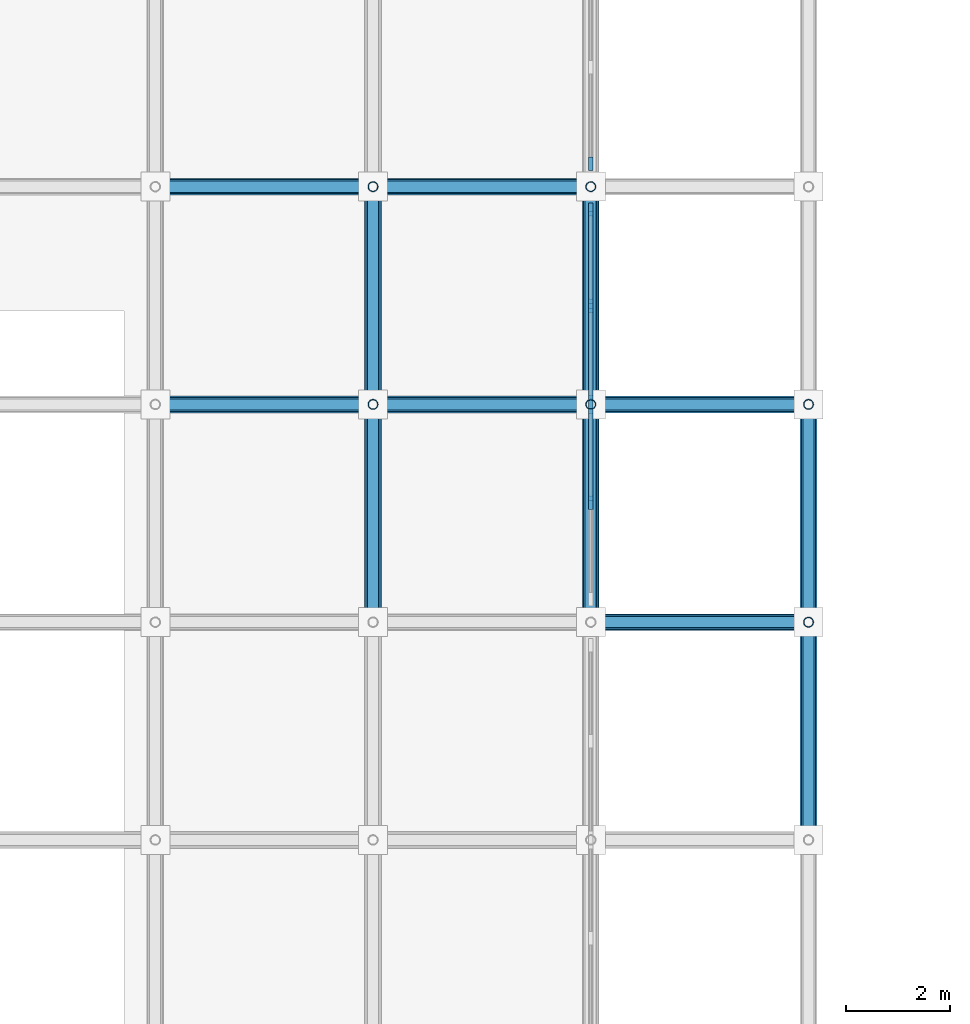
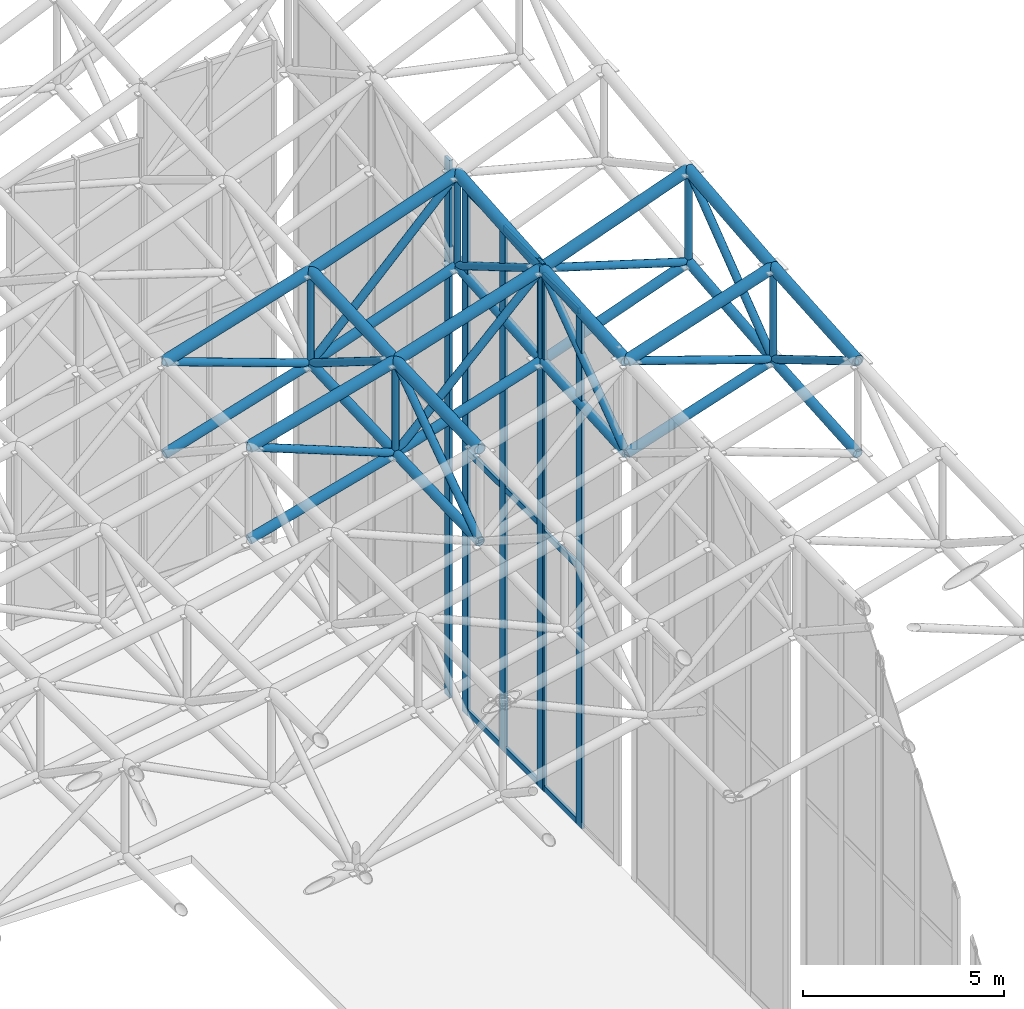
# One storey, part 44 of 93: 57 members, 3 elements without a shape of their own.
"""IFC4 building model written with IfcOpenShell, lengths in metres."""

from ifc_helpers import new_model, si_unit, direction, frame, origin, origin_2d, place, context, subcontext, project, spatial, rectangle, hollow_circle, extrude, material, material_profile, profile_set, type_object, element, aggregate, save


model = new_model("IFC4")

# Units and contexts
model_context = context("Model", 3, precision=1e-05, world=origin(), true_north=direction((0.0, 1.0)))
body_context = subcontext(model_context, "Body", "Model", "MODEL_VIEW")
ifc_project = project(units=[si_unit("LENGTHUNIT", "METRE"), si_unit("AREAUNIT", "SQUARE_METRE"), si_unit("VOLUMEUNIT", "CUBIC_METRE"), si_unit("PLANEANGLEUNIT", "RADIAN"), si_unit("MASSUNIT", "GRAM", prefix="KILO")], contexts=[model_context])

# Site, building, storey
site_placement = place(None, origin())
site = spatial("IfcSite", under=ifc_project, at=site_placement, CompositionType="ELEMENT")
building_placement = place(site_placement, origin())
building = spatial("IfcBuilding", under=site, at=building_placement, Name="Cumbredor Promenade Congress Hotel", CompositionType="ELEMENT")
storey_placement = place(building_placement, frame((0.0, 0.0, 21.840087890625)))
storey = spatial("IfcBuildingStorey", under=building, at=storey_placement, Name="L06", CompositionType="ELEMENT", Elevation=21.840087890625)

# Curtain wall, members
ifc_material_1 = material(Name="Thermally broken anodized aluminium and low-E glass", Category="aluminium")
curtain_wall_type = type_object("IfcCurtainWallType", Name="Stepped Pavilion Clerestory Curtain Wall CW-06", PredefinedType="NOTDEFINED", material=ifc_material_1)
curtain_wall_1_placement = place(storey_placement, origin())
curtain_wall_1 = element("IfcCurtainWall", 1, at=curtain_wall_1_placement, inside=storey, type_object=curtain_wall_type, Name="Plenary Congress Hall E Glazed Clerestory 11", PredefinedType="NOTDEFINED")
ifc_material_2 = material(Name="Thermally broken anodized aluminium", Category="aluminium")
ifc_material_profile_1 = material_profile(ifc_material_2, rectangle(XDim=0.0849609375, YDim=0.260009765625, at=origin_2d()), Name="ALU MULLION CLERESTORY 85x260")
ifc_profile_set_1 = profile_set([ifc_material_profile_1], Name="Thermally broken anodized aluminium")
member_type_1 = type_object("IfcMemberType", Name="Curtain Wall Mullion ML-04", PredefinedType="MULLION", material=ifc_profile_set_1)
member_1_placement = place(storey_placement, frame((67.199951171875, 52.699951171875, -0.01806640625), z_axis=(0.0, 0.0, 1.0), x_axis=(1.0, 0.0, 0.0)))
member_1 = element("IfcMember", 2, at=member_1_placement, type_object=member_type_1, Name="Plenary Congress Hall E Glazed Clerestory 11 Mullion 2", PredefinedType="MULLION", context=body_context, shape_type="SweptSolid", body=[
    extrude(rectangle(XDim=0.0849609375, YDim=0.260009765625, at=origin_2d()), origin(), (0.0, 0.0, 1.0), 15.685791015625),
])
member_2_placement = place(storey_placement, frame((67.199951171875, 54.56005859375, -0.01806640625), z_axis=(0.0, 0.0, 1.0), x_axis=(1.0, 0.0, 0.0)))
member_2 = element("IfcMember", 3, at=member_2_placement, type_object=member_type_1, Name="Plenary Congress Hall E Glazed Clerestory 11 Mullion 3", PredefinedType="MULLION", context=body_context, shape_type="SweptSolid", body=[
    extrude(rectangle(XDim=0.0849609375, YDim=0.260009765625, at=origin_2d()), origin(), (0.0, 0.0, 1.0), 15.685791015625),
])

curtain_wall_2_placement = place(storey_placement, origin())
curtain_wall_2 = element("IfcCurtainWall", 4, at=curtain_wall_2_placement, inside=storey, type_object=curtain_wall_type, Name="Plenary Congress Hall E Glazed Clerestory 12", PredefinedType="NOTDEFINED")
member_3_placement = place(storey_placement, frame((67.199951171875, 54.639892578125, -0.01806640625), z_axis=(0.0, 0.0, 1.0), x_axis=(1.0, 0.0, 0.0)))
member_3 = element("IfcMember", 5, at=member_3_placement, type_object=member_type_1, Name="Plenary Congress Hall E Glazed Clerestory 12 Mullion 1", PredefinedType="MULLION", context=body_context, shape_type="SweptSolid", body=[
    extrude(rectangle(XDim=0.0849609375, YDim=0.260009765625, at=origin_2d()), origin(), (0.0, 0.0, 1.0), 15.94970703125),
])
member_4_placement = place(storey_placement, frame((67.199951171875, 56.5, -0.01806640625), z_axis=(0.0, 0.0, 1.0), x_axis=(1.0, 0.0, 0.0)))
member_4 = element("IfcMember", 6, at=member_4_placement, type_object=member_type_1, Name="Plenary Congress Hall E Glazed Clerestory 12 Mullion 2", PredefinedType="MULLION", context=body_context, shape_type="SweptSolid", body=[
    extrude(rectangle(XDim=0.0849609375, YDim=0.260009765625, at=origin_2d()), origin(), (0.0, 0.0, 1.0), 15.94970703125),
])
member_5_placement = place(storey_placement, frame((67.199951171875, 58.360107421875, -0.01806640625), z_axis=(0.0, 0.0, 1.0), x_axis=(1.0, 0.0, 0.0)))
member_5 = element("IfcMember", 7, at=member_5_placement, type_object=member_type_1, Name="Plenary Congress Hall E Glazed Clerestory 12 Mullion 3", PredefinedType="MULLION", context=body_context, shape_type="SweptSolid", body=[
    extrude(rectangle(XDim=0.0849609375, YDim=0.260009765625, at=origin_2d()), origin(), (0.0, 0.0, 1.0), 15.94970703125),
])

# Curtain wall, member
curtain_wall_3_placement = place(storey_placement, origin())
curtain_wall_3 = element("IfcCurtainWall", 8, at=curtain_wall_3_placement, inside=storey, type_object=curtain_wall_type, Name="Plenary Congress Hall E Glazed Clerestory 13", PredefinedType="NOTDEFINED")
member_6_placement = place(storey_placement, frame((67.199951171875, 59.239990234375, -0.01806640625), z_axis=(0.0, 0.0, 1.0), x_axis=(1.0, 0.0, 0.0)))
member_6 = element("IfcMember", 9, at=member_6_placement, type_object=member_type_1, Name="Plenary Congress Hall E Glazed Clerestory 13 Mullion 1", PredefinedType="MULLION", context=body_context, shape_type="SweptSolid", body=[
    extrude(rectangle(XDim=0.0849609375, YDim=0.260009765625, at=origin_2d()), origin(), (0.0, 0.0, 1.0), 16.279296875),
])
aggregate(curtain_wall_3, [member_6])

# Member
ifc_material_profile_2 = material_profile(ifc_material_2, rectangle(XDim=0.080078125, YDim=0.179931640625, at=origin_2d()), Name="ALU TRANSOM 80x180")
ifc_profile_set_2 = profile_set([ifc_material_profile_2], Name="Thermally broken anodized aluminium")
member_type_2 = type_object("IfcMemberType", Name="Curtain Wall Transom TR-03", PredefinedType="USERDEFINED", material=ifc_profile_set_2)
member_7_placement = place(storey_placement, frame((67.199951171875, 52.742431640625, 0.079833984375), z_axis=(0.0, 1.0, 0.0), x_axis=(-1.0, 0.0, 0.0)))
member_7 = element("IfcMember", 10, at=member_7_placement, type_object=member_type_2, Name="Plenary Congress Hall E Glazed Clerestory 11 Transom 2.1", ObjectType="TRANSOM", PredefinedType="USERDEFINED", context=body_context, shape_type="SweptSolid", body=[
    extrude(rectangle(XDim=0.080078125, YDim=0.179931640625, at=origin_2d()), origin(), (0.0, 0.0, 1.0), 1.775146484375),
])

member_8_placement = place(storey_placement, frame((67.199951171875, 52.742431640625, 7.81982421875), z_axis=(0.0, 1.0, 0.0), x_axis=(-1.0, 0.0, 0.0)))
member_8 = element("IfcMember", 11, at=member_8_placement, type_object=member_type_2, Name="Plenary Congress Hall E Glazed Clerestory 11 Transom 2.2", ObjectType="TRANSOM", PredefinedType="USERDEFINED", context=body_context, shape_type="SweptSolid", body=[
    extrude(rectangle(XDim=0.080078125, YDim=0.179931640625, at=origin_2d()), origin(), (0.0, 0.0, 1.0), 1.775146484375),
])

member_9_placement = place(storey_placement, frame((67.199951171875, 52.742431640625, 15.56982421875), z_axis=(0.0, 1.0, 0.0), x_axis=(-1.0, 0.0, 0.0)))
member_9 = element("IfcMember", 12, at=member_9_placement, type_object=member_type_2, Name="Plenary Congress Hall E Glazed Clerestory 11 Transom 2.3", ObjectType="TRANSOM", PredefinedType="USERDEFINED", context=body_context, shape_type="SweptSolid", body=[
    extrude(rectangle(XDim=0.080078125, YDim=0.179931640625, at=origin_2d()), origin(), (0.0, 0.0, 1.0), 1.775146484375),
])

aggregate(curtain_wall_1, [member_1, member_2, member_7, member_8, member_9])

member_10_placement = place(storey_placement, frame((67.199951171875, 54.6826171875, 0.079833984375), z_axis=(0.0, 1.0, 0.0), x_axis=(-1.0, 0.0, 0.0)))
member_10 = element("IfcMember", 13, at=member_10_placement, type_object=member_type_2, Name="Plenary Congress Hall E Glazed Clerestory 12 Transom 1.1", ObjectType="TRANSOM", PredefinedType="USERDEFINED", context=body_context, shape_type="SweptSolid", body=[
    extrude(rectangle(XDim=0.080078125, YDim=0.179931640625, at=origin_2d()), origin(), (0.0, 0.0, 1.0), 1.77490234375),
])

member_11_placement = place(storey_placement, frame((67.199951171875, 54.6826171875, 7.9599609375), z_axis=(0.0, 1.0, 0.0), x_axis=(-1.0, 0.0, 0.0)))
member_11 = element("IfcMember", 14, at=member_11_placement, type_object=member_type_2, Name="Plenary Congress Hall E Glazed Clerestory 12 Transom 1.2", ObjectType="TRANSOM", PredefinedType="USERDEFINED", context=body_context, shape_type="SweptSolid", body=[
    extrude(rectangle(XDim=0.080078125, YDim=0.179931640625, at=origin_2d()), origin(), (0.0, 0.0, 1.0), 1.77490234375),
])

member_12_placement = place(storey_placement, frame((67.199951171875, 54.6826171875, 15.829833984375), z_axis=(0.0, 1.0, 0.0), x_axis=(-1.0, 0.0, 0.0)))
member_12 = element("IfcMember", 15, at=member_12_placement, type_object=member_type_2, Name="Plenary Congress Hall E Glazed Clerestory 12 Transom 1.3", ObjectType="TRANSOM", PredefinedType="USERDEFINED", context=body_context, shape_type="SweptSolid", body=[
    extrude(rectangle(XDim=0.080078125, YDim=0.179931640625, at=origin_2d()), origin(), (0.0, 0.0, 1.0), 1.77490234375),
])

member_13_placement = place(storey_placement, frame((67.199951171875, 56.54248046875, 0.079833984375), z_axis=(0.0, 1.0, 0.0), x_axis=(-1.0, 0.0, 0.0)))
member_13 = element("IfcMember", 16, at=member_13_placement, type_object=member_type_2, Name="Plenary Congress Hall E Glazed Clerestory 12 Transom 2.1", ObjectType="TRANSOM", PredefinedType="USERDEFINED", context=body_context, shape_type="SweptSolid", body=[
    extrude(rectangle(XDim=0.080078125, YDim=0.179931640625, at=origin_2d()), origin(), (0.0, 0.0, 1.0), 1.77490234375),
])

member_14_placement = place(storey_placement, frame((67.199951171875, 56.54248046875, 7.9599609375), z_axis=(0.0, 1.0, 0.0), x_axis=(-1.0, 0.0, 0.0)))
member_14 = element("IfcMember", 17, at=member_14_placement, type_object=member_type_2, Name="Plenary Congress Hall E Glazed Clerestory 12 Transom 2.2", ObjectType="TRANSOM", PredefinedType="USERDEFINED", context=body_context, shape_type="SweptSolid", body=[
    extrude(rectangle(XDim=0.080078125, YDim=0.179931640625, at=origin_2d()), origin(), (0.0, 0.0, 1.0), 1.77490234375),
])

member_15_placement = place(storey_placement, frame((67.199951171875, 56.54248046875, 15.829833984375), z_axis=(0.0, 1.0, 0.0), x_axis=(-1.0, 0.0, 0.0)))
member_15 = element("IfcMember", 18, at=member_15_placement, type_object=member_type_2, Name="Plenary Congress Hall E Glazed Clerestory 12 Transom 2.3", ObjectType="TRANSOM", PredefinedType="USERDEFINED", context=body_context, shape_type="SweptSolid", body=[
    extrude(rectangle(XDim=0.080078125, YDim=0.179931640625, at=origin_2d()), origin(), (0.0, 0.0, 1.0), 1.77490234375),
])

aggregate(curtain_wall_2, [member_3, member_4, member_5, member_10, member_11, member_12, member_13, member_14, member_15])

# Members
ifc_material_3 = material(Name="Steel ASTM A500 Grade C", Category="steel")
ifc_material_profile_3 = material_profile(ifc_material_3, hollow_circle(Radius=0.136474609375, WallThickness=0.01611328125, at=origin_2d()), Name="CHS 273.0x16")
ifc_profile_set_3 = profile_set([ifc_material_profile_3], Name="Steel ASTM A500 Grade C")
member_type_3 = type_object("IfcMemberType", Name="Plenary Roof Space Frame Bottom Chord", PredefinedType="CHORD", material=ifc_profile_set_3)
member_16_placement = place(storey_placement, frame((67.199951171875, 50.39990234375, 12.6796875), z_axis=(0.95046362493, 0.0, 0.310835805025), x_axis=(0.0, 1.0, 0.0)))
element("IfcMember", 19, at=member_16_placement, inside=storey, type_object=member_type_3, Name="Plenary Congress Hall X Bottom Chord 18.13", PredefinedType="CHORD", context=body_context, shape_type="SweptSolid", body=[
    extrude(hollow_circle(Radius=0.136474609375, WallThickness=0.01611328125, at=origin_2d()), origin(), (0.0, 0.0, 1.0), 4.4189453125),
])
member_17_placement = place(storey_placement, frame((58.800048828125, 54.60009765625, 10.4599609375), z_axis=(0.964303137338, 0.0, 0.264800791768), x_axis=(0.0, 1.0, 0.0)))
element("IfcMember", 20, at=member_17_placement, inside=storey, type_object=member_type_3, Name="Plenary Congress Hall X Bottom Chord 16.14", PredefinedType="CHORD", context=body_context, shape_type="SweptSolid", body=[
    extrude(hollow_circle(Radius=0.136474609375, WallThickness=0.01611328125, at=origin_2d()), origin(), (0.0, 0.0, 1.0), 4.35546875),
])
member_18_placement = place(storey_placement, frame((63.0, 54.60009765625, 11.61328125), z_axis=(0.953320159964, 0.0, 0.301961376018), x_axis=(0.0, 1.0, 0.0)))
element("IfcMember", 21, at=member_18_placement, inside=storey, type_object=member_type_3, Name="Plenary Congress Hall X Bottom Chord 17.14", PredefinedType="CHORD", context=body_context, shape_type="SweptSolid", body=[
    extrude(hollow_circle(Radius=0.136474609375, WallThickness=0.01611328125, at=origin_2d()), origin(), (0.0, 0.0, 1.0), 4.405517578125),
])
member_19_placement = place(storey_placement, frame((67.199951171875, 54.60009765625, 12.943603515625), z_axis=(0.94060968374, 0.0, 0.339489945146), x_axis=(0.0, 1.0, 0.0)))
element("IfcMember", 22, at=member_19_placement, inside=storey, type_object=member_type_3, Name="Plenary Congress Hall X Bottom Chord 18.14", PredefinedType="CHORD", context=body_context, shape_type="SweptSolid", body=[
    extrude(hollow_circle(Radius=0.136474609375, WallThickness=0.01611328125, at=origin_2d()), origin(), (0.0, 0.0, 1.0), 4.465087890625),
])
member_20_placement = place(storey_placement, frame((58.800048828125, 58.800048828125, 10.5), z_axis=(0.95607892243, 0.0, 0.293109355165), x_axis=(0.0, 1.0, 0.0)))
element("IfcMember", 23, at=member_20_placement, inside=storey, type_object=member_type_3, Name="Plenary Congress Hall X Bottom Chord 16.15", PredefinedType="CHORD", context=body_context, shape_type="SweptSolid", body=[
    extrude(hollow_circle(Radius=0.136474609375, WallThickness=0.01611328125, at=origin_2d()), origin(), (0.0, 0.0, 1.0), 4.392822265625),
])
member_21_placement = place(storey_placement, frame((63.0, 58.800048828125, 11.78759765625), z_axis=(0.942760446136, 0.0, 0.333470750145), x_axis=(0.0, 1.0, 0.0)))
element("IfcMember", 24, at=member_21_placement, inside=storey, type_object=member_type_3, Name="Plenary Congress Hall X Bottom Chord 17.15", PredefinedType="CHORD", context=body_context, shape_type="SweptSolid", body=[
    extrude(hollow_circle(Radius=0.136474609375, WallThickness=0.01611328125, at=origin_2d()), origin(), (0.0, 0.0, 1.0), 4.454833984375),
])
member_22_placement = place(storey_placement, frame((63.0, 50.39990234375, 11.473388671875), z_axis=(0.0, 0.999445809291, 0.033287749868), x_axis=(-1.0, 0.0, 0.0)))
element("IfcMember", 25, at=member_22_placement, inside=storey, type_object=member_type_3, Name="Plenary Congress Hall Y Bottom Chord 17.13", PredefinedType="CHORD", context=body_context, shape_type="SweptSolid", body=[
    extrude(hollow_circle(Radius=0.136474609375, WallThickness=0.01611328125, at=origin_2d()), origin(), (0.0, 0.0, 1.0), 4.20263671875),
])
member_23_placement = place(storey_placement, frame((63.0, 54.60009765625, 11.61328125), z_axis=(0.0, 0.999139804036, 0.041468686862), x_axis=(-1.0, 0.0, 0.0)))
element("IfcMember", 26, at=member_23_placement, inside=storey, type_object=member_type_3, Name="Plenary Congress Hall Y Bottom Chord 17.14", PredefinedType="CHORD", context=body_context, shape_type="SweptSolid", body=[
    extrude(hollow_circle(Radius=0.136474609375, WallThickness=0.01611328125, at=origin_2d()), origin(), (0.0, 0.0, 1.0), 4.20361328125),
])
member_24_placement = place(storey_placement, frame((67.199951171875, 50.39990234375, 12.6796875), z_axis=(0.0, 0.998031756371, 0.062710551537), x_axis=(-1.0, 0.0, 0.0)))
element("IfcMember", 27, at=member_24_placement, inside=storey, type_object=member_type_3, Name="Plenary Congress Hall Y Bottom Chord 18.13", PredefinedType="CHORD", context=body_context, shape_type="SweptSolid", body=[
    extrude(hollow_circle(Radius=0.136474609375, WallThickness=0.01611328125, at=origin_2d()), origin(), (0.0, 0.0, 1.0), 4.20849609375),
])
member_25_placement = place(storey_placement, frame((67.199951171875, 54.60009765625, 12.943603515625), z_axis=(0.0, 0.996935010979, 0.078234160601), x_axis=(-1.0, 0.0, 0.0)))
element("IfcMember", 28, at=member_25_placement, inside=storey, type_object=member_type_3, Name="Plenary Congress Hall Y Bottom Chord 18.14", PredefinedType="CHORD", context=body_context, shape_type="SweptSolid", body=[
    extrude(hollow_circle(Radius=0.136474609375, WallThickness=0.01611328125, at=origin_2d()), origin(), (0.0, 0.0, 1.0), 4.212890625),
])
member_26_placement = place(storey_placement, frame((71.39990234375, 46.199951171875, 13.748291015625), z_axis=(0.0, 0.997374731853, 0.072413011689), x_axis=(-1.0, 0.0, 0.0)))
element("IfcMember", 29, at=member_26_placement, inside=storey, type_object=member_type_3, Name="Plenary Congress Hall Y Bottom Chord 19.12", PredefinedType="CHORD", context=body_context, shape_type="SweptSolid", body=[
    extrude(hollow_circle(Radius=0.136474609375, WallThickness=0.01611328125, at=origin_2d()), origin(), (0.0, 0.0, 1.0), 4.2109375),
])
member_27_placement = place(storey_placement, frame((71.39990234375, 50.39990234375, 14.05322265625), z_axis=(0.0, 0.995355022421, 0.096272422536), x_axis=(-1.0, 0.0, 0.0)))
element("IfcMember", 30, at=member_27_placement, inside=storey, type_object=member_type_3, Name="Plenary Congress Hall Y Bottom Chord 19.13", PredefinedType="CHORD", context=body_context, shape_type="SweptSolid", body=[
    extrude(hollow_circle(Radius=0.136474609375, WallThickness=0.01611328125, at=origin_2d()), origin(), (0.0, 0.0, 1.0), 4.2197265625),
])
ifc_material_profile_4 = material_profile(ifc_material_3, hollow_circle(Radius=0.161865234375, WallThickness=0.01611328125, at=origin_2d()), Name="CHS 323.9x16")
ifc_profile_set_4 = profile_set([ifc_material_profile_4], Name="Steel ASTM A500 Grade C")
member_type_4 = type_object("IfcMemberType", Name="Plenary Roof Space Frame Top Chord", PredefinedType="CHORD", material=ifc_profile_set_4)
member_28_placement = place(storey_placement, frame((67.199951171875, 50.39990234375, 15.4794921875), z_axis=(0.95046362493, 0.0, 0.310835805025), x_axis=(0.0, 1.0, 0.0)))
element("IfcMember", 31, at=member_28_placement, inside=storey, type_object=member_type_4, Name="Plenary Congress Hall X Top Chord 18.13", PredefinedType="CHORD", context=body_context, shape_type="SweptSolid", body=[
    extrude(hollow_circle(Radius=0.161865234375, WallThickness=0.01611328125, at=origin_2d()), origin(), (0.0, 0.0, 1.0), 4.4189453125),
])
member_29_placement = place(storey_placement, frame((58.800048828125, 54.60009765625, 13.260009765625), z_axis=(0.964303137338, 0.0, 0.264800791768), x_axis=(0.0, 1.0, 0.0)))
element("IfcMember", 32, at=member_29_placement, inside=storey, type_object=member_type_4, Name="Plenary Congress Hall X Top Chord 16.14", PredefinedType="CHORD", context=body_context, shape_type="SweptSolid", body=[
    extrude(hollow_circle(Radius=0.161865234375, WallThickness=0.01611328125, at=origin_2d()), origin(), (0.0, 0.0, 1.0), 4.35546875),
])
member_30_placement = place(storey_placement, frame((63.0, 54.60009765625, 14.413330078125), z_axis=(0.953320159964, 0.0, 0.301961376018), x_axis=(0.0, 1.0, 0.0)))
element("IfcMember", 33, at=member_30_placement, inside=storey, type_object=member_type_4, Name="Plenary Congress Hall X Top Chord 17.14", PredefinedType="CHORD", context=body_context, shape_type="SweptSolid", body=[
    extrude(hollow_circle(Radius=0.161865234375, WallThickness=0.01611328125, at=origin_2d()), origin(), (0.0, 0.0, 1.0), 4.405517578125),
])
member_31_placement = place(storey_placement, frame((67.199951171875, 54.60009765625, 15.74365234375), z_axis=(0.94060968374, 0.0, 0.339489945146), x_axis=(0.0, 1.0, 0.0)))
element("IfcMember", 34, at=member_31_placement, inside=storey, type_object=member_type_4, Name="Plenary Congress Hall X Top Chord 18.14", PredefinedType="CHORD", context=body_context, shape_type="SweptSolid", body=[
    extrude(hollow_circle(Radius=0.161865234375, WallThickness=0.01611328125, at=origin_2d()), origin(), (0.0, 0.0, 1.0), 4.465087890625),
])
member_32_placement = place(storey_placement, frame((58.800048828125, 58.800048828125, 13.300048828125), z_axis=(0.95607892243, 0.0, 0.293109355165), x_axis=(0.0, 1.0, 0.0)))
element("IfcMember", 35, at=member_32_placement, inside=storey, type_object=member_type_4, Name="Plenary Congress Hall X Top Chord 16.15", PredefinedType="CHORD", context=body_context, shape_type="SweptSolid", body=[
    extrude(hollow_circle(Radius=0.161865234375, WallThickness=0.01611328125, at=origin_2d()), origin(), (0.0, 0.0, 1.0), 4.392822265625),
])
member_33_placement = place(storey_placement, frame((63.0, 58.800048828125, 14.587646484375), z_axis=(0.942760446136, 0.0, 0.333470750145), x_axis=(0.0, 1.0, 0.0)))
element("IfcMember", 36, at=member_33_placement, inside=storey, type_object=member_type_4, Name="Plenary Congress Hall X Top Chord 17.15", PredefinedType="CHORD", context=body_context, shape_type="SweptSolid", body=[
    extrude(hollow_circle(Radius=0.161865234375, WallThickness=0.01611328125, at=origin_2d()), origin(), (0.0, 0.0, 1.0), 4.454833984375),
])
member_34_placement = place(storey_placement, frame((63.0, 50.39990234375, 14.2734375), z_axis=(0.0, 0.999445809291, 0.033287749868), x_axis=(-1.0, 0.0, 0.0)))
element("IfcMember", 37, at=member_34_placement, inside=storey, type_object=member_type_4, Name="Plenary Congress Hall Y Top Chord 17.13", PredefinedType="CHORD", context=body_context, shape_type="SweptSolid", body=[
    extrude(hollow_circle(Radius=0.161865234375, WallThickness=0.01611328125, at=origin_2d()), origin(), (0.0, 0.0, 1.0), 4.20263671875),
])
member_35_placement = place(storey_placement, frame((63.0, 54.60009765625, 14.413330078125), z_axis=(0.0, 0.999139804036, 0.041468686862), x_axis=(-1.0, 0.0, 0.0)))
element("IfcMember", 38, at=member_35_placement, inside=storey, type_object=member_type_4, Name="Plenary Congress Hall Y Top Chord 17.14", PredefinedType="CHORD", context=body_context, shape_type="SweptSolid", body=[
    extrude(hollow_circle(Radius=0.161865234375, WallThickness=0.01611328125, at=origin_2d()), origin(), (0.0, 0.0, 1.0), 4.20361328125),
])
member_36_placement = place(storey_placement, frame((67.199951171875, 50.39990234375, 15.4794921875), z_axis=(0.0, 0.998028123932, 0.062768334695), x_axis=(-1.0, 0.0, 0.0)))
element("IfcMember", 39, at=member_36_placement, inside=storey, type_object=member_type_4, Name="Plenary Congress Hall Y Top Chord 18.13", PredefinedType="CHORD", context=body_context, shape_type="SweptSolid", body=[
    extrude(hollow_circle(Radius=0.161865234375, WallThickness=0.01611328125, at=origin_2d()), origin(), (0.0, 0.0, 1.0), 4.20849609375),
])
member_37_placement = place(storey_placement, frame((67.199951171875, 54.60009765625, 15.74365234375), z_axis=(0.0, 0.996935010979, 0.078234160601), x_axis=(-1.0, 0.0, 0.0)))
element("IfcMember", 40, at=member_37_placement, inside=storey, type_object=member_type_4, Name="Plenary Congress Hall Y Top Chord 18.14", PredefinedType="CHORD", context=body_context, shape_type="SweptSolid", body=[
    extrude(hollow_circle(Radius=0.161865234375, WallThickness=0.01611328125, at=origin_2d()), origin(), (0.0, 0.0, 1.0), 4.212890625),
])
member_38_placement = place(storey_placement, frame((71.39990234375, 46.199951171875, 16.54833984375), z_axis=(0.0, 0.997378917455, 0.072355338545), x_axis=(-1.0, 0.0, 0.0)))
element("IfcMember", 41, at=member_38_placement, inside=storey, type_object=member_type_4, Name="Plenary Congress Hall Y Top Chord 19.12", PredefinedType="CHORD", context=body_context, shape_type="SweptSolid", body=[
    extrude(hollow_circle(Radius=0.161865234375, WallThickness=0.01611328125, at=origin_2d()), origin(), (0.0, 0.0, 1.0), 4.2109375),
])
member_39_placement = place(storey_placement, frame((71.39990234375, 50.39990234375, 16.85302734375), z_axis=(0.0, 0.995349476734, 0.096329741849), x_axis=(-1.0, 0.0, 0.0)))
element("IfcMember", 42, at=member_39_placement, inside=storey, type_object=member_type_4, Name="Plenary Congress Hall Y Top Chord 19.13", PredefinedType="CHORD", context=body_context, shape_type="SweptSolid", body=[
    extrude(hollow_circle(Radius=0.161865234375, WallThickness=0.01611328125, at=origin_2d()), origin(), (0.0, 0.0, 1.0), 4.2197265625),
])
ifc_material_profile_5 = material_profile(ifc_material_3, hollow_circle(Radius=0.109619140625, WallThickness=0.012451171875, at=origin_2d()), Name="CHS 219.1x12.5")
ifc_profile_set_5 = profile_set([ifc_material_profile_5], Name="Steel ASTM A500 Grade C")
member_type_5 = type_object("IfcMemberType", Name="Space Frame Web Diagonal D1", PredefinedType="BRACE", material=ifc_profile_set_5)
member_40_placement = place(storey_placement, frame((67.199951171875, 50.39990234375, 15.4794921875), z_axis=(0.946890442895, 0.0, -0.321556354554), x_axis=(0.0, 1.0, 0.0)))
element("IfcMember", 43, at=member_40_placement, inside=storey, type_object=member_type_5, Name="Plenary Congress Hall X Web Diagonal 18.13", PredefinedType="BRACE", context=body_context, shape_type="SweptSolid", body=[
    extrude(hollow_circle(Radius=0.109619140625, WallThickness=0.012451171875, at=origin_2d()), origin(), (0.0, 0.0, 1.0), 4.435546875),
])
member_41_placement = place(storey_placement, frame((58.800048828125, 54.60009765625, 13.260009765625), z_axis=(0.930996640005, 0.0, -0.365027747302), x_axis=(0.0, 1.0, 0.0)))
element("IfcMember", 44, at=member_41_placement, inside=storey, type_object=member_type_5, Name="Plenary Congress Hall X Web Diagonal 16.14", PredefinedType="BRACE", context=body_context, shape_type="SweptSolid", body=[
    extrude(hollow_circle(Radius=0.109619140625, WallThickness=0.012451171875, at=origin_2d()), origin(), (0.0, 0.0, 1.0), 4.51123046875),
])
member_42_placement = place(storey_placement, frame((63.0, 54.60009765625, 11.61328125), z_axis=(0.712988109804, 0.0, 0.701176122866), x_axis=(0.0, 1.0, 0.0)))
element("IfcMember", 45, at=member_42_placement, inside=storey, type_object=member_type_5, Name="Plenary Congress Hall X Web Diagonal 17.14", PredefinedType="BRACE", context=body_context, shape_type="SweptSolid", body=[
    extrude(hollow_circle(Radius=0.109619140625, WallThickness=0.012451171875, at=origin_2d()), origin(), (0.0, 0.0, 1.0), 5.890625),
])
member_43_placement = place(storey_placement, frame((67.199951171875, 54.60009765625, 15.74365234375), z_axis=(0.95629674988, 0.0, -0.292397890157), x_axis=(0.0, 1.0, 0.0)))
element("IfcMember", 46, at=member_43_placement, inside=storey, type_object=member_type_5, Name="Plenary Congress Hall X Web Diagonal 18.14", PredefinedType="BRACE", context=body_context, shape_type="SweptSolid", body=[
    extrude(hollow_circle(Radius=0.109619140625, WallThickness=0.012451171875, at=origin_2d()), origin(), (0.0, 0.0, 1.0), 4.391845703125),
])
member_44_placement = place(storey_placement, frame((58.800048828125, 58.800048828125, 13.300048828125), z_axis=(0.940853941796, 0.0, -0.338812426288), x_axis=(0.0, 1.0, 0.0)))
element("IfcMember", 47, at=member_44_placement, inside=storey, type_object=member_type_5, Name="Plenary Congress Hall X Web Diagonal 16.15", PredefinedType="BRACE", context=body_context, shape_type="SweptSolid", body=[
    extrude(hollow_circle(Radius=0.109619140625, WallThickness=0.012451171875, at=origin_2d()), origin(), (0.0, 0.0, 1.0), 4.4638671875),
])
member_45_placement = place(storey_placement, frame((63.0, 58.800048828125, 11.78759765625), z_axis=(0.699930242693, 0.0, 0.714211212012), x_axis=(0.0, 1.0, 0.0)))
element("IfcMember", 48, at=member_45_placement, inside=storey, type_object=member_type_5, Name="Plenary Congress Hall X Web Diagonal 17.15", PredefinedType="BRACE", context=body_context, shape_type="SweptSolid", body=[
    extrude(hollow_circle(Radius=0.109619140625, WallThickness=0.012451171875, at=origin_2d()), origin(), (0.0, 0.0, 1.0), 6.00048828125),
])
member_46_placement = place(storey_placement, frame((63.0, 50.39990234375, 11.473388671875), z_axis=(0.0, 0.819249817468, 0.573436776444), x_axis=(-1.0, 0.0, 0.0)))
element("IfcMember", 49, at=member_46_placement, inside=storey, type_object=member_type_5, Name="Plenary Congress Hall Y Web Diagonal 17.13", PredefinedType="BRACE", context=body_context, shape_type="SweptSolid", body=[
    extrude(hollow_circle(Radius=0.109619140625, WallThickness=0.012451171875, at=origin_2d()), origin(), (0.0, 0.0, 1.0), 5.126953125),
])
member_47_placement = place(storey_placement, frame((63.0, 54.60009765625, 14.413330078125), z_axis=(0.0, 0.847929069798, -0.530109698639), x_axis=(-1.0, 0.0, 0.0)))
element("IfcMember", 50, at=member_47_placement, inside=storey, type_object=member_type_5, Name="Plenary Congress Hall Y Web Diagonal 17.14", PredefinedType="BRACE", context=body_context, shape_type="SweptSolid", body=[
    extrude(hollow_circle(Radius=0.109619140625, WallThickness=0.012451171875, at=origin_2d()), origin(), (0.0, 0.0, 1.0), 4.953125),
])
member_48_placement = place(storey_placement, frame((67.199951171875, 50.39990234375, 12.6796875), z_axis=(0.0, 0.807886422501, 0.589338212183), x_axis=(-1.0, 0.0, 0.0)))
element("IfcMember", 51, at=member_48_placement, inside=storey, type_object=member_type_5, Name="Plenary Congress Hall Y Web Diagonal 18.13", PredefinedType="BRACE", context=body_context, shape_type="SweptSolid", body=[
    extrude(hollow_circle(Radius=0.109619140625, WallThickness=0.012451171875, at=origin_2d()), origin(), (0.0, 0.0, 1.0), 5.198974609375),
])
member_49_placement = place(storey_placement, frame((67.199951171875, 54.60009765625, 15.74365234375), z_axis=(0.0, 0.861943231209, -0.507004798965), x_axis=(-1.0, 0.0, 0.0)))
element("IfcMember", 52, at=member_49_placement, inside=storey, type_object=member_type_5, Name="Plenary Congress Hall Y Web Diagonal 18.14", PredefinedType="BRACE", context=body_context, shape_type="SweptSolid", body=[
    extrude(hollow_circle(Radius=0.109619140625, WallThickness=0.012451171875, at=origin_2d()), origin(), (0.0, 0.0, 1.0), 4.87255859375),
])
member_50_placement = place(storey_placement, frame((71.39990234375, 46.199951171875, 16.54833984375), z_axis=(0.0, 0.859729255812, -0.510750043271), x_axis=(-1.0, 0.0, 0.0)))
element("IfcMember", 53, at=member_50_placement, inside=storey, type_object=member_type_5, Name="Plenary Congress Hall Y Web Diagonal 19.12", PredefinedType="BRACE", context=body_context, shape_type="SweptSolid", body=[
    extrude(hollow_circle(Radius=0.109619140625, WallThickness=0.012451171875, at=origin_2d()), origin(), (0.0, 0.0, 1.0), 4.88525390625),
])
member_51_placement = place(storey_placement, frame((71.39990234375, 50.39990234375, 14.05322265625), z_axis=(0.0, 0.794870318628, 0.606779347509), x_axis=(-1.0, 0.0, 0.0)))
element("IfcMember", 54, at=member_51_placement, inside=storey, type_object=member_type_5, Name="Plenary Congress Hall Y Web Diagonal 19.13", PredefinedType="BRACE", context=body_context, shape_type="SweptSolid", body=[
    extrude(hollow_circle(Radius=0.109619140625, WallThickness=0.012451171875, at=origin_2d()), origin(), (0.0, 0.0, 1.0), 5.2841796875),
])
ifc_material_profile_6 = material_profile(ifc_material_3, hollow_circle(Radius=0.096923828125, WallThickness=0.010009765625, at=origin_2d()), Name="CHS 193.7x10")
ifc_profile_set_6 = profile_set([ifc_material_profile_6], Name="Steel ASTM A500 Grade C")
member_type_6 = type_object("IfcMemberType", Name="Space Frame Web Post P1", PredefinedType="BRACE", material=ifc_profile_set_6)
for number, where, z_axis, x_axis, name in (
    (55, (63.0, 54.60009765625, 11.61328125), (0.0, 0.0, 1.0), (1.0, 0.0, 0.0), "Plenary Congress Hall Space Frame Web Post 17.14"),
    (56, (63.0, 58.800048828125, 11.78759765625), (0.0, 0.0, 1.0), (1.0, 0.0, 0.0), "Plenary Congress Hall Space Frame Web Post 17.15"),
    (57, (67.199951171875, 54.60009765625, 12.943603515625), (0.0, 0.0, 1.0), (1.0, 0.0, 0.0), "Plenary Congress Hall Space Frame Web Post 18.14"),
    (58, (67.199951171875, 58.800048828125, 13.273193359375), (0.0, 0.0, 1.0), (1.0, 0.0, 0.0), "Plenary Congress Hall Space Frame Web Post 18.15"),
):
    element("IfcMember", number, at=place(storey_placement, frame(where, z_axis=z_axis, x_axis=x_axis)), inside=storey, type_object=member_type_6, Name=name, PredefinedType="BRACE", context=body_context, shape_type="SweptSolid", body=[
        extrude(hollow_circle(Radius=0.096923828125, WallThickness=0.010009765625, at=origin_2d()), origin(), (0.0, 0.0, 1.0), 2.800048828125),
    ])
member_52_placement = place(storey_placement, frame((71.39990234375, 50.39990234375, 14.05322265625), z_axis=(0.0, 0.0, 1.0), x_axis=(1.0, 0.0, 0.0)))
element("IfcMember", 59, at=member_52_placement, inside=storey, type_object=member_type_6, Name="Plenary Congress Hall Space Frame Web Post 19.13", PredefinedType="BRACE", context=body_context, shape_type="SweptSolid", body=[
    extrude(hollow_circle(Radius=0.096923828125, WallThickness=0.010009765625, at=origin_2d()), origin(), (0.0, 0.0, 1.0), 2.7998046875),
])
member_53_placement = place(storey_placement, frame((71.39990234375, 54.60009765625, 14.45947265625), z_axis=(0.0, 0.0, 1.0), x_axis=(1.0, 0.0, 0.0)))
element("IfcMember", 60, at=member_53_placement, inside=storey, type_object=member_type_6, Name="Plenary Congress Hall Space Frame Web Post 19.14", PredefinedType="BRACE", context=body_context, shape_type="SweptSolid", body=[
    extrude(hollow_circle(Radius=0.096923828125, WallThickness=0.010009765625, at=origin_2d()), origin(), (0.0, 0.0, 1.0), 2.800048828125),
])

save(model, "model.ifc")
